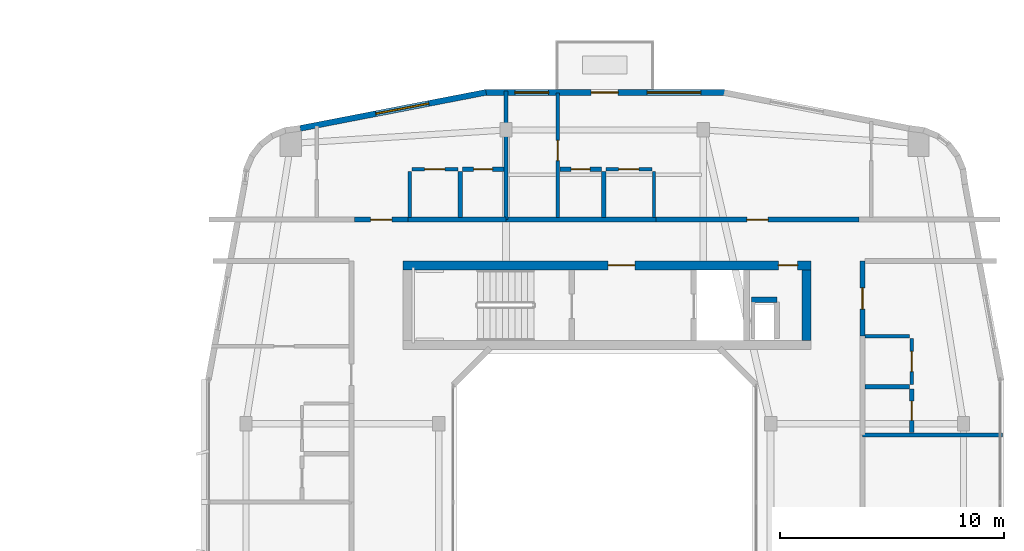
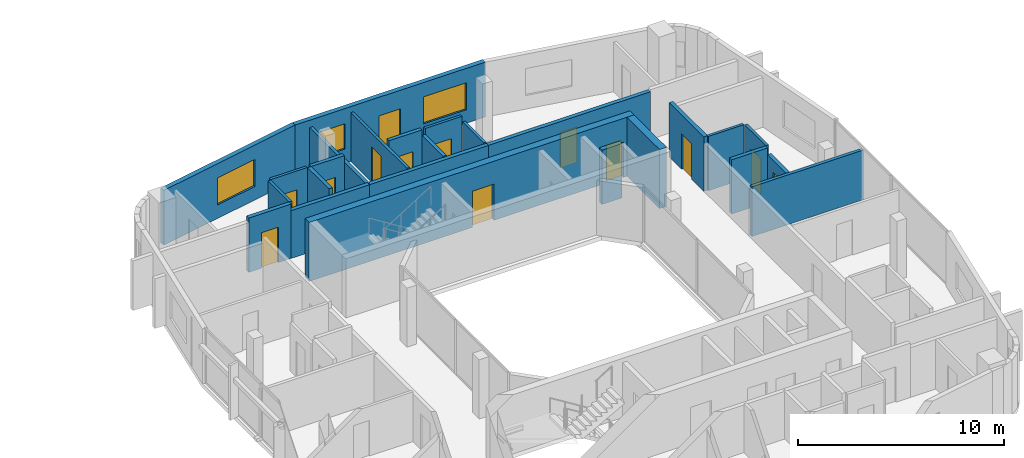
# One storey, part 15 of 22: 25 walls, 13 doors, 3 windows, 16 openings.
"""IFC4 building model written with IfcOpenShell, lengths in metres."""

from ifc_helpers import new_model, si_unit, derived_unit, direction, frame, frame_2d, origin, place, context, subcontext, project, spatial, rectangle, extrude, material, layer, layer_set, type_object, element, fill, save


model = new_model("IFC4")

# Units and contexts
model_context = context("Model", 3, precision=1e-05, world=origin(), true_north=direction((0.0, 1.0)))
body_context = subcontext(model_context, "Body", "Model", "MODEL_VIEW")
ifc_project = project(units=[si_unit("LENGTHUNIT", "METRE"), si_unit("AREAUNIT", "SQUARE_METRE"), si_unit("VOLUMEUNIT", "CUBIC_METRE"), si_unit("PLANEANGLEUNIT", "RADIAN"), si_unit("MASSUNIT", "GRAM", prefix="KILO"), derived_unit("THERMALTRANSMITTANCEUNIT", [(si_unit("POWERUNIT", "WATT"), 1), (si_unit("LENGTHUNIT", "METRE"), -2), (si_unit("THERMODYNAMICTEMPERATUREUNIT", "KELVIN"), -1)])], contexts=[model_context])

# Site, building, storey
site_placement = place(None, origin())
site = spatial("IfcSite", under=ifc_project, at=site_placement, CompositionType="ELEMENT")
building_placement = place(site_placement, origin())
building = spatial("IfcBuilding", under=site, at=building_placement, Name="Kivonza Crest Hotel", CompositionType="ELEMENT")
storey_placement = place(building_placement, frame((0.0, 0.0, 112.5)))
storey = spatial("IfcBuildingStorey", under=building, at=storey_placement, Name="L30", CompositionType="ELEMENT", Elevation=112.5)

# Walls
ifc_material_1 = material(Name="High-density acoustic masonry inter-tenancy wall", Category="masonry")
ifc_layer_1 = layer(ifc_material_1, 0.179931640625)
ifc_layer_set_1 = layer_set([ifc_layer_1], Name="High-density acoustic masonry inter-tenancy wall")
wall_type_1 = type_object("IfcWallType", Name="WL-ACOU-180", PredefinedType="SOLIDWALL", material=ifc_layer_set_1)
wall_1_placement = place(storey_placement, frame((72.60009765625, 37.60009765625, 0.0), z_axis=(0.0, 0.0, 1.0), x_axis=(0.0, 1.0, 0.0)))
element("IfcWall", 1, at=wall_1_placement, inside=storey, type_object=wall_type_1, Name="L30 interior partition WA-L30-T2N-DIV1", PredefinedType="SOLIDWALL", context=body_context, shape_type="SweptSolid", body=[
    extrude(rectangle(XDim=5.739990234375, YDim=0.179931640625, at=frame_2d((2.8701171875, 0.0))), origin(), (0.0, 0.0, 1.0), 2.824951171875),
])
wall_2_placement = place(storey_placement, frame((88.5, 28.0, 0.0), z_axis=(0.0, 0.0, 1.0), x_axis=(1.0, 0.0, 0.0)))
element("IfcWall", 2, at=wall_2_placement, inside=storey, type_object=wall_type_1, Name="L30 interior partition WA-L30-T2E-DIV1", PredefinedType="SOLIDWALL", context=body_context, shape_type="SweptSolid", body=[
    extrude(rectangle(XDim=6.239990234375, YDim=0.179931640625, at=frame_2d((3.1201171875, 0.0))), origin(), (0.0, 0.0, 1.0), 2.945068359375),
])
ifc_material_2 = material(Name="Autoclaved aerated concrete blockwork", Category="masonry")
ifc_layer_2 = layer(ifc_material_2, 0.219970703125)
ifc_layer_set_2 = layer_set([ifc_layer_2], Name="Autoclaved aerated concrete blockwork")
wall_type_2 = type_object("IfcWallType", Name="WL-ACOU-220", PredefinedType="SOLIDWALL", material=ifc_layer_set_2)
wall_3_placement = place(storey_placement, frame((68.219970703125, 37.60009765625, 0.0), z_axis=(0.0, 0.0, 1.0), x_axis=(1.0, 0.0, 0.0)))
element("IfcWall", 3, at=wall_3_placement, inside=storey, type_object=wall_type_2, Name="L30 interior partition WA-L30-A01-RCORR", PredefinedType="SOLIDWALL", context=body_context, shape_type="SweptSolid", body=[
    extrude(rectangle(XDim=4.380126953125, YDim=0.219970703125, at=frame_2d((2.18994140625, 0.0))), origin(), (0.0, 0.0, 1.0), 2.824951171875),
])

# Wall, opening, door
wall_4_placement = place(storey_placement, frame((65.85009765625, 37.60009765625, 0.0), z_axis=(0.0, 0.0, 1.0), x_axis=(1.0, 0.0, 0.0)))
wall_4 = element("IfcWall", 4, at=wall_4_placement, inside=storey, type_object=wall_type_2, Name="L30 interior partition WA-L30-A01-MCORR", PredefinedType="SOLIDWALL", context=body_context, shape_type="SweptSolid", body=[
    extrude(rectangle(XDim=2.369873046875, YDim=0.219970703125, at=frame_2d((1.18505859375, 0.0))), origin(), (0.0, 0.0, 1.0), 3.219970703125),
])
opening_1_placement = place(wall_4_placement, frame((0.7099609375, 0.0, 0.0)))
opening_1 = element("IfcOpeningElement", 5, at=opening_1_placement, cuts=wall_4, Name="Opening DU-60", PredefinedType="OPENING", context=body_context, shape_type="SweptSolid", body=[
    extrude(rectangle(XDim=0.949951171875, YDim=2.10009765625, at=frame_2d((0.47509765625, 1.050048828125))), frame((0.0, 0.1201171875, 0.0), z_axis=(0.0, -1.0, 0.0), x_axis=(1.0, 0.0, 0.0)), (0.0, 0.0, 1.0), 0.239990234375),
])
ifc_material_3 = material(Name="Hardwood timber oak", Category="wood")
door_type_1 = type_object("IfcDoorType", Name="DR-UNIT-950", OperationType="NOTDEFINED", PredefinedType="DOOR", material=ifc_material_3)
door_1_placement = place(opening_1_placement, origin())
door_1 = element("IfcDoor", 6, at=door_1_placement, inside=storey, type_object=door_type_1, Name="L30 A01 apartment entrance fire door", OperationType="SINGLE_SWING_LEFT", OverallHeight=2.10009765625, OverallWidth=0.949951171875, PredefinedType="DOOR", context=body_context, shape_type="SweptSolid", body=[
    extrude(rectangle(XDim=0.949951171875, YDim=2.10009765625, at=frame_2d((0.47509765625, 1.050048828125))), frame((0.0, 0.02490234375, 0.0), z_axis=(0.0, -1.0, 0.0), x_axis=(1.0, 0.0, 0.0)), (0.0, 0.0, 1.0), 0.050048828125),
])
fill(opening_1, door_1)

# Wall
wall_5_placement = place(storey_placement, frame((72.60009765625, 37.60009765625, 0.0), z_axis=(0.0, 0.0, 1.0), x_axis=(1.0, 0.0, 0.0)))
element("IfcWall", 7, at=wall_5_placement, inside=storey, type_object=wall_type_2, Name="L30 interior partition WA-L30-A02-LCORR", PredefinedType="SOLIDWALL", context=body_context, shape_type="SweptSolid", body=[
    extrude(rectangle(XDim=6.679931640625, YDim=0.219970703125, at=frame_2d((3.33984375, 0.0))), origin(), (0.0, 0.0, 1.0), 2.824951171875),
])

# Wall, opening, door
wall_6_placement = place(storey_placement, frame((79.280029296875, 37.60009765625, 0.0), z_axis=(0.0, 0.0, 1.0), x_axis=(1.0, 0.0, 0.0)))
wall_6 = element("IfcWall", 8, at=wall_6_placement, inside=storey, type_object=wall_type_2, Name="L30 interior partition WA-L30-A02-MCORR", PredefinedType="SOLIDWALL", context=body_context, shape_type="SweptSolid", body=[
    extrude(rectangle(XDim=9.070068359375, YDim=0.219970703125, at=frame_2d((4.53515625, 0.0))), origin(), (0.0, 0.0, 1.0), 2.824951171875),
])
opening_2_placement = place(wall_6_placement, frame((4.06005859375, 0.0, 0.0)))
opening_2 = element("IfcOpeningElement", 9, at=opening_2_placement, cuts=wall_6, Name="Opening DU-60", PredefinedType="OPENING", context=body_context, shape_type="SweptSolid", body=[
    extrude(rectangle(XDim=0.949951171875, YDim=2.10009765625, at=frame_2d((0.47509765625, 1.050048828125))), frame((0.0, 0.1201171875, 0.0), z_axis=(0.0, -1.0, 0.0), x_axis=(1.0, 0.0, 0.0)), (0.0, 0.0, 1.0), 0.239990234375),
])
door_2_placement = place(opening_2_placement, origin())
door_2 = element("IfcDoor", 10, at=door_2_placement, inside=storey, type_object=door_type_1, Name="L30 A02 apartment entrance fire door", OperationType="SINGLE_SWING_RIGHT", OverallHeight=2.10009765625, OverallWidth=0.949951171875, PredefinedType="DOOR", context=body_context, shape_type="SweptSolid", body=[
    extrude(rectangle(XDim=0.949951171875, YDim=2.10009765625, at=frame_2d((0.47509765625, 1.050048828125))), frame((0.0, 0.02490234375, 0.0), z_axis=(0.0, -1.0, 0.0), x_axis=(1.0, 0.0, 0.0)), (0.0, 0.0, 1.0), 0.050048828125),
])
fill(opening_2, door_2)

wall_7_placement = place(storey_placement, frame((88.5, 32.39990234375, 0.0), z_axis=(0.0, 0.0, 1.0), x_axis=(0.0, 1.0, 0.0)))
wall_7 = element("IfcWall", 11, at=wall_7_placement, inside=storey, type_object=wall_type_2, Name="L30 interior partition WA-L30-A08-MCORR", PredefinedType="SOLIDWALL", context=body_context, shape_type="SweptSolid", body=[
    extrude(rectangle(XDim=3.360107421875, YDim=0.219970703125, at=frame_2d((1.68017578125, 0.0))), origin(), (0.0, 0.0, 1.0), 3.219970703125),
])
opening_3_placement = place(wall_7_placement, frame((1.205078125, 0.0, 0.0)))
opening_3 = element("IfcOpeningElement", 12, at=opening_3_placement, cuts=wall_7, Name="Opening DU-60", PredefinedType="OPENING", context=body_context, shape_type="SweptSolid", body=[
    extrude(rectangle(XDim=0.949951171875, YDim=2.10009765625, at=frame_2d((0.47509765625, 1.050048828125))), frame((0.0, 0.1201171875, 0.0), z_axis=(0.0, -1.0, 0.0), x_axis=(1.0, 0.0, 0.0)), (0.0, 0.0, 1.0), 0.239990234375),
])
door_3_placement = place(opening_3_placement, frame((0.949951171875, 0.0, 0.0), z_axis=(0.0, 0.0, 1.0), x_axis=(-1.0, 0.0, 0.0)))
door_3 = element("IfcDoor", 13, at=door_3_placement, inside=storey, type_object=door_type_1, Name="L30 A08 apartment entrance fire door", OperationType="SINGLE_SWING_RIGHT", OverallHeight=2.10009765625, OverallWidth=0.949951171875, PredefinedType="DOOR", context=body_context, shape_type="SweptSolid", body=[
    extrude(rectangle(XDim=0.949951171875, YDim=2.10009765625, at=frame_2d((0.47509765625, 1.050048828125))), frame((0.0, 0.02490234375, 0.0), z_axis=(0.0, -1.0, 0.0), x_axis=(1.0, 0.0, 0.0)), (0.0, 0.0, 1.0), 0.050048828125),
])
fill(opening_3, door_3)

# Wall, openings, doors
ifc_material_4 = material(Name="Concrete C50/60", Category="concrete")
ifc_layer_3 = layer(ifc_material_4, 0.39990234375)
ifc_layer_set_3 = layer_set([ifc_layer_3], Name="Concrete C50/60")
wall_type_3 = type_object("IfcWallType", Name="WL-CORE-400", PredefinedType="SHEAR", material=ifc_layer_set_3)
wall_8_placement = place(storey_placement, frame((68.0, 35.56005859375, 0.0), z_axis=(0.0, 0.0, 1.0), x_axis=(1.0, 0.0, 0.0)))
wall_8 = element("IfcWall", 14, at=wall_8_placement, inside=storey, type_object=wall_type_3, Name="Core wall T2-N North L30", PredefinedType="SHEAR", context=body_context, shape_type="SweptSolid", body=[
    extrude(rectangle(XDim=18.199951171875, YDim=0.39990234375, at=frame_2d((9.10009765625, 0.0))), origin(), (0.0, 0.0, 1.0), 3.5),
])
opening_4_placement = place(wall_8_placement, frame((9.14990234375, 0.0, 0.0)))
opening_4 = element("IfcOpeningElement", 15, at=opening_4_placement, cuts=wall_8, Name="Opening DF-60", PredefinedType="OPENING", context=body_context, shape_type="SweptSolid", body=[
    extrude(rectangle(XDim=1.199951171875, YDim=2.14990234375, at=frame_2d((0.60009765625, 1.074951171875))), frame((0.0, 0.2099609375, 0.0), z_axis=(0.0, -1.0, 0.0), x_axis=(1.0, 0.0, 0.0)), (0.0, 0.0, 1.0), 0.419921875),
])
opening_5_placement = place(wall_8_placement, frame((16.75, 0.0, 0.0)))
opening_5 = element("IfcOpeningElement", 16, at=opening_5_placement, cuts=wall_8, Name="Opening DF-60R", PredefinedType="OPENING", context=body_context, shape_type="SweptSolid", body=[
    extrude(rectangle(XDim=0.85009765625, YDim=2.10009765625, at=frame_2d((0.425048828125, 1.050048828125))), frame((0.0, 0.2099609375, 0.0), z_axis=(0.0, -1.0, 0.0), x_axis=(1.0, 0.0, 0.0)), (0.0, 0.0, 1.0), 0.419921875),
])
door_type_2 = type_object("IfcDoorType", Name="DR-FD60-1200", OperationType="NOTDEFINED", PredefinedType="DOOR", material=ifc_material_3)
door_4_placement = place(opening_4_placement, origin())
door_4 = element("IfcDoor", 17, at=door_4_placement, inside=storey, type_object=door_type_2, Name="L30 T2-N firefighting lobby fire door", OperationType="SINGLE_SWING_RIGHT", OverallHeight=2.14990234375, OverallWidth=1.199951171875, PredefinedType="DOOR", context=body_context, shape_type="SweptSolid", body=[
    extrude(rectangle(XDim=1.199951171875, YDim=2.14990234375, at=frame_2d((0.60009765625, 1.074951171875))), frame((0.0, 0.02490234375, 0.0), z_axis=(0.0, -1.0, 0.0), x_axis=(1.0, 0.0, 0.0)), (0.0, 0.0, 1.0), 0.050048828125),
])
fill(opening_4, door_4)
door_type_3 = type_object("IfcDoorType", Name="DR-FD60-850", OperationType="NOTDEFINED", PredefinedType="DOOR", material=ifc_material_3)
door_5_placement = place(opening_5_placement, origin())
door_5 = element("IfcDoor", 18, at=door_5_placement, inside=storey, type_object=door_type_3, Name="L30 T2-N core room door", OperationType="SINGLE_SWING_RIGHT", OverallHeight=2.10009765625, OverallWidth=0.85009765625, PredefinedType="DOOR", context=body_context, shape_type="SweptSolid", body=[
    extrude(rectangle(XDim=0.85009765625, YDim=2.10009765625, at=frame_2d((0.425048828125, 1.050048828125))), frame((0.0, 0.02490234375, 0.0), z_axis=(0.0, -1.0, 0.0), x_axis=(1.0, 0.0, 0.0)), (0.0, 0.0, 1.0), 0.050048828125),
])
fill(opening_5, door_5)

# Wall
wall_9_placement = place(storey_placement, frame((86.0, 32.199951171875, 0.0), z_axis=(0.0, 0.0, 1.0), x_axis=(0.0, 1.0, 0.0)))
element("IfcWall", 19, at=wall_9_placement, inside=storey, type_object=wall_type_3, Name="Core wall T2-N East L30", PredefinedType="SHEAR", context=body_context, shape_type="SweptSolid", body=[
    extrude(rectangle(XDim=3.16015625, YDim=0.39990234375, at=frame_2d((1.580078125, 0.0))), origin(), (0.0, 0.0, 1.0), 3.5),
])

# Wall, openings, door, windows
ifc_material_5 = material(Name="Precast concrete C40/50", Category="concrete")
ifc_layer_4 = layer(ifc_material_5, 0.260009765625)
ifc_layer_set_4 = layer_set([ifc_layer_4], Name="Precast concrete C40/50")
wall_type_4 = type_object("IfcWallType", Name="WL-EXT-260", PredefinedType="STANDARD", material=ifc_layer_set_4)
wall_10_placement = place(storey_placement, frame((82.364990234375, 43.27001953125, 0.0), z_axis=(0.0, 0.0, 1.0), x_axis=(-1.0, 0.0, 0.0)))
wall_10 = element("IfcWall", 20, at=wall_10_placement, inside=storey, type_object=wall_type_4, Name="L30 T2 exterior insulated wall 26", PredefinedType="STANDARD", context=body_context, shape_type="SweptSolid", body=[
    extrude(rectangle(XDim=10.695068359375, YDim=0.260009765625, at=frame_2d((5.34765625, 0.0))), origin(), (0.0, 0.0, 1.0), 3.25),
])
opening_6_placement = place(wall_10_placement, frame((4.764892578125, 0.0, 0.0)))
opening_6 = element("IfcOpeningElement", 21, at=opening_6_placement, cuts=wall_10, Name="Opening DT-120", PredefinedType="OPENING", context=body_context, shape_type="SweptSolid", body=[
    extrude(rectangle(XDim=1.199951171875, YDim=2.14990234375, at=frame_2d((0.60009765625, 1.074951171875))), frame((0.0, 0.14013671875, 0.0), z_axis=(0.0, -1.0, 0.0), x_axis=(1.0, 0.0, 0.0)), (0.0, 0.0, 1.0), 0.280029296875),
])
opening_7_placement = place(wall_10_placement, frame((1.076904296875, 0.0, 0.800048828125)))
opening_7 = element("IfcOpeningElement", 22, at=opening_7_placement, cuts=wall_10, Name="Opening WN-05", PredefinedType="OPENING", context=body_context, shape_type="SweptSolid", body=[
    extrude(rectangle(XDim=2.39990234375, YDim=1.60009765625, at=frame_2d((1.199951171875, 0.800048828125))), frame((0.0, 0.14013671875, 0.0), z_axis=(0.0, -1.0, 0.0), x_axis=(1.0, 0.0, 0.0)), (0.0, 0.0, 1.0), 0.280029296875),
])
opening_8_placement = place(wall_10_placement, frame((7.864990234375, 0.0, 0.85009765625)))
opening_8 = element("IfcOpeningElement", 23, at=opening_8_placement, cuts=wall_10, Name="Opening WN-02", PredefinedType="OPENING", context=body_context, shape_type="SweptSolid", body=[
    extrude(rectangle(XDim=1.5, YDim=1.5, at=frame_2d((0.75, 0.75))), frame((0.0, 0.14013671875, 0.0), z_axis=(0.0, -1.0, 0.0), x_axis=(1.0, 0.0, 0.0)), (0.0, 0.0, 1.0), 0.280029296875),
])
ifc_material_6 = material(Name="Anodised bronze aluminium and laminated safety glass", Category="aluminium")
door_type_4 = type_object("IfcDoorType", Name="DR-TERR-1200", OperationType="NOTDEFINED", PredefinedType="DOOR", material=ifc_material_6)
door_6_placement = place(opening_6_placement, frame((1.199951171875, 0.0, 0.0), z_axis=(0.0, 0.0, 1.0), x_axis=(-1.0, 0.0, 0.0)))
door_6 = element("IfcDoor", 24, at=door_6_placement, inside=storey, type_object=door_type_4, Name="T2 L30 NE sky-garden bridge access door", OperationType="SINGLE_SWING_RIGHT", OverallHeight=2.14990234375, OverallWidth=1.199951171875, PredefinedType="DOOR", context=body_context, shape_type="SweptSolid", body=[
    extrude(rectangle(XDim=1.199951171875, YDim=2.14990234375, at=frame_2d((0.60009765625, 1.074951171875))), frame((0.0, 0.02490234375, 0.0), z_axis=(0.0, -1.0, 0.0), x_axis=(1.0, 0.0, 0.0)), (0.0, 0.0, 1.0), 0.050048828125),
])
fill(opening_6, door_6)
ifc_material_7 = material(Name="Thermally broken bronze aluminium and low-E double glazing", Category="aluminium")
window_type_1 = type_object("IfcWindowType", Name="WN-150x150", PartitioningType="DOUBLE_PANEL_VERTICAL", PredefinedType="WINDOW", material=ifc_material_7)
window_1_placement = place(opening_8_placement, origin())
window_1 = element("IfcWindow", 25, at=window_1_placement, inside=storey, type_object=window_type_1, Name="L30 T2 facade window 26 bay 2", OverallHeight=1.5, OverallWidth=1.5, PartitioningType="SINGLE_PANEL", PredefinedType="WINDOW", context=body_context, shape_type="SweptSolid", body=[
    extrude(rectangle(XDim=1.5, YDim=1.5, at=frame_2d((0.75, 0.75))), frame((0.0, 0.030029296875, 0.0), z_axis=(0.0, -1.0, 0.0), x_axis=(1.0, 0.0, 0.0)), (0.0, 0.0, 1.0), 0.06005859375),
])
fill(opening_8, window_1)
window_type_2 = type_object("IfcWindowType", Name="WN-240x160", PartitioningType="TRIPLE_PANEL_VERTICAL", PredefinedType="WINDOW", material=ifc_material_7)
window_2_placement = place(opening_7_placement, origin())
window_2 = element("IfcWindow", 26, at=window_2_placement, inside=storey, type_object=window_type_2, Name="L30 T2 facade window 26 bay 1", OverallHeight=1.60009765625, OverallWidth=2.39990234375, PartitioningType="SINGLE_PANEL", PredefinedType="WINDOW", context=body_context, shape_type="SweptSolid", body=[
    extrude(rectangle(XDim=2.39990234375, YDim=1.60009765625, at=frame_2d((1.199951171875, 0.800048828125))), frame((0.0, 0.030029296875, 0.0), z_axis=(0.0, -1.0, 0.0), x_axis=(1.0, 0.0, 0.0)), (0.0, 0.0, 1.0), 0.06005859375),
])
fill(opening_7, window_2)

# Wall, opening, window
wall_11_placement = place(storey_placement, frame((71.7099609375, 43.277099609375, 0.0), z_axis=(0.0, 0.0, 1.0), x_axis=(-0.981733729692, -0.190260043057, 0.0)))
wall_11 = element("IfcWall", 27, at=wall_11_placement, inside=storey, type_object=wall_type_4, Name="L30 T2 exterior insulated wall 27", PredefinedType="STANDARD", context=body_context, shape_type="SweptSolid", body=[
    extrude(rectangle(XDim=8.447265625, YDim=0.260009765625, at=frame_2d((4.2236328125, 0.0))), origin(), (0.0, 0.0, 1.0), 3.25),
])
opening_9_placement = place(wall_11_placement, frame((2.60791015625, 0.0, 0.800048828125)))
opening_9 = element("IfcOpeningElement", 28, at=opening_9_placement, cuts=wall_11, Name="Opening WN-05", PredefinedType="OPENING", context=body_context, shape_type="SweptSolid", body=[
    extrude(rectangle(XDim=2.39990234375, YDim=1.60009765625, at=frame_2d((1.199951171875, 0.800048828125))), frame((0.0, 0.14013671875, 0.0), z_axis=(0.0, -1.0, 0.0), x_axis=(1.0, 0.0, 0.0)), (0.0, 0.0, 1.0), 0.280029296875),
])
window_3_placement = place(opening_9_placement, origin())
window_3 = element("IfcWindow", 29, at=window_3_placement, inside=storey, type_object=window_type_2, Name="L30 T2 facade window 27", OverallHeight=1.60009765625, OverallWidth=2.39990234375, PartitioningType="SINGLE_PANEL", PredefinedType="WINDOW", context=body_context, shape_type="SweptSolid", body=[
    extrude(rectangle(XDim=2.39990234375, YDim=1.60009765625, at=frame_2d((1.199951171875, 0.800048828125))), frame((0.0, 0.030029296875, 0.0), z_axis=(0.0, -1.0, 0.0), x_axis=(1.0, 0.0, 0.0)), (0.0, 0.0, 1.0), 0.06005859375),
])
fill(opening_9, window_3)

# Walls
ifc_material_8 = material(Name="Concrete blockwork fire-compartment wall", Category="masonry")
ifc_layer_5 = layer(ifc_material_8, 0.25)
ifc_layer_set_5 = layer_set([ifc_layer_5], Name="Concrete blockwork fire-compartment wall")
wall_type_5 = type_object("IfcWallType", Name="WL-FIRE-250", PredefinedType="SOLIDWALL", material=ifc_layer_set_5)
wall_12_placement = place(storey_placement, frame((83.550048828125, 34.02001953125, 0.0), z_axis=(0.0, 0.0, 1.0), x_axis=(1.0, 0.0, 0.0)))
element("IfcWall", 30, at=wall_12_placement, inside=storey, type_object=wall_type_5, Name="L30 interior partition WA-L30-T2-N-MEPR-H", PredefinedType="SOLIDWALL", context=body_context, shape_type="SweptSolid", body=[
    extrude(rectangle(XDim=1.1298828125, YDim=0.25, at=frame_2d((0.56494140625, 0.0))), origin(), (0.0, 0.0, 1.0), 3.219970703125),
])
ifc_material_9 = material(Name="Twin-stud acoustic gypsum board partition", Category="gypsum")
ifc_layer_6 = layer(ifc_material_9, 0.14990234375)
ifc_layer_set_6 = layer_set([ifc_layer_6], Name="Twin-stud acoustic gypsum board partition")
wall_type_6 = type_object("IfcWallType", Name="WL-PART-150", PredefinedType="PARTITIONING", material=ifc_layer_set_6)
wall_13_placement = place(storey_placement, frame((68.300048828125, 37.699951171875, 0.0), z_axis=(0.0, 0.0, 1.0), x_axis=(0.0, 1.0, 0.0)))
element("IfcWall", 31, at=wall_13_placement, inside=storey, type_object=wall_type_6, Name="L30 interior partition WP-L30-A01-KF", PredefinedType="PARTITIONING", context=body_context, shape_type="SweptSolid", body=[
    extrude(rectangle(XDim=2.050048828125, YDim=0.14990234375, at=frame_2d((1.02490234375, 0.0))), origin(), (0.0, 0.0, 1.0), 3.219970703125),
])

# Wall, opening, door
wall_14_placement = place(storey_placement, frame((68.39990234375, 39.85009765625, 0.0), z_axis=(0.0, 0.0, 1.0), x_axis=(1.0, 0.0, 0.0)))
wall_14 = element("IfcWall", 32, at=wall_14_placement, inside=storey, type_object=wall_type_6, Name="L30 interior partition WP-L30-A01-KSVC", PredefinedType="PARTITIONING", context=body_context, shape_type="SweptSolid", body=[
    extrude(rectangle(XDim=2.050048828125, YDim=0.14990234375, at=frame_2d((1.02490234375, 0.0))), origin(), (0.0, 0.0, 1.0), 3.219970703125),
])
opening_10_placement = place(wall_14_placement, frame((0.574951171875, 0.0, 0.0)))
opening_10 = element("IfcOpeningElement", 33, at=opening_10_placement, cuts=wall_14, Name="Opening DI-90", PredefinedType="OPENING", context=body_context, shape_type="SweptSolid", body=[
    extrude(rectangle(XDim=0.89990234375, YDim=2.10009765625, at=frame_2d((0.449951171875, 1.050048828125))), frame((0.0, 0.0849609375, 0.0), z_axis=(0.0, -1.0, 0.0), x_axis=(1.0, 0.0, 0.0)), (0.0, 0.0, 1.0), 0.169921875),
])
door_type_5 = type_object("IfcDoorType", Name="DR-INT-900", OperationType="NOTDEFINED", PredefinedType="DOOR", material=ifc_material_3)
door_7_placement = place(opening_10_placement, origin())
door_7 = element("IfcDoor", 34, at=door_7_placement, inside=storey, type_object=door_type_5, Name="L30 A01 apartment kitchen door", OperationType="SINGLE_SWING_LEFT", OverallHeight=2.10009765625, OverallWidth=0.89990234375, PredefinedType="DOOR", context=body_context, shape_type="SweptSolid", body=[
    extrude(rectangle(XDim=0.89990234375, YDim=2.10009765625, at=frame_2d((0.449951171875, 1.050048828125))), frame((0.0, 0.02490234375, 0.0), z_axis=(0.0, -1.0, 0.0), x_axis=(1.0, 0.0, 0.0)), (0.0, 0.0, 1.0), 0.050048828125),
])
fill(opening_10, door_7)

wall_15_placement = place(storey_placement, frame((74.89990234375, 37.699951171875, 0.0), z_axis=(0.0, 0.0, 1.0), x_axis=(0.0, 1.0, 0.0)))
wall_15 = element("IfcWall", 35, at=wall_15_placement, inside=storey, type_object=wall_type_6, Name="L30 interior partition WP-L30-A02-BDW1", PredefinedType="PARTITIONING", context=body_context, shape_type="SweptSolid", body=[
    extrude(rectangle(XDim=5.5400390625, YDim=0.14990234375, at=frame_2d((2.77001953125, 0.0))), origin(), (0.0, 0.0, 1.0), 2.89501953125),
])
opening_11_placement = place(wall_15_placement, frame((2.530029296875, 0.0, 0.0)))
opening_11 = element("IfcOpeningElement", 36, at=opening_11_placement, cuts=wall_15, Name="Opening DI-90", PredefinedType="OPENING", context=body_context, shape_type="SweptSolid", body=[
    extrude(rectangle(XDim=0.89990234375, YDim=2.10009765625, at=frame_2d((0.449951171875, 1.050048828125))), frame((0.0, 0.0849609375, 0.0), z_axis=(0.0, -1.0, 0.0), x_axis=(1.0, 0.0, 0.0)), (0.0, 0.0, 1.0), 0.169921875),
])
door_8_placement = place(opening_11_placement, origin())
door_8 = element("IfcDoor", 37, at=door_8_placement, inside=storey, type_object=door_type_5, Name="L30 A02 bedroom 1 door", OperationType="SINGLE_SWING_LEFT", OverallHeight=2.10009765625, OverallWidth=0.89990234375, PredefinedType="DOOR", context=body_context, shape_type="SweptSolid", body=[
    extrude(rectangle(XDim=0.89990234375, YDim=2.10009765625, at=frame_2d((0.449951171875, 1.050048828125))), frame((0.0, 0.02490234375, 0.0), z_axis=(0.0, -1.0, 0.0), x_axis=(1.0, 0.0, 0.0)), (0.0, 0.0, 1.0), 0.050048828125),
])
fill(opening_11, door_8)

# Wall
wall_16_placement = place(storey_placement, frame((79.199951171875, 37.699951171875, 0.0), z_axis=(0.0, 0.0, 1.0), x_axis=(0.0, 1.0, 0.0)))
element("IfcWall", 38, at=wall_16_placement, inside=storey, type_object=wall_type_6, Name="L30 interior partition WP-L30-A02-KF", PredefinedType="PARTITIONING", context=body_context, shape_type="SweptSolid", body=[
    extrude(rectangle(XDim=2.050048828125, YDim=0.14990234375, at=frame_2d((1.02490234375, 0.0))), origin(), (0.0, 0.0, 1.0), 2.89501953125),
])

# Wall, opening, door
wall_17_placement = place(storey_placement, frame((77.050048828125, 39.85009765625, 0.0), z_axis=(0.0, 0.0, 1.0), x_axis=(1.0, 0.0, 0.0)))
wall_17 = element("IfcWall", 39, at=wall_17_placement, inside=storey, type_object=wall_type_6, Name="L30 interior partition WP-L30-A02-KSVC", PredefinedType="PARTITIONING", context=body_context, shape_type="SweptSolid", body=[
    extrude(rectangle(XDim=2.050048828125, YDim=0.14990234375, at=frame_2d((1.02490234375, 0.0))), origin(), (0.0, 0.0, 1.0), 3.219970703125),
])
opening_12_placement = place(wall_17_placement, frame((0.574951171875, 0.0, 0.0)))
opening_12 = element("IfcOpeningElement", 40, at=opening_12_placement, cuts=wall_17, Name="Opening DI-90", PredefinedType="OPENING", context=body_context, shape_type="SweptSolid", body=[
    extrude(rectangle(XDim=0.89990234375, YDim=2.10009765625, at=frame_2d((0.449951171875, 1.050048828125))), frame((0.0, 0.0849609375, 0.0), z_axis=(0.0, -1.0, 0.0), x_axis=(1.0, 0.0, 0.0)), (0.0, 0.0, 1.0), 0.169921875),
])
door_9_placement = place(opening_12_placement, origin())
door_9 = element("IfcDoor", 41, at=door_9_placement, inside=storey, type_object=door_type_5, Name="L30 A02 apartment kitchen door", OperationType="SINGLE_SWING_RIGHT", OverallHeight=2.10009765625, OverallWidth=0.89990234375, PredefinedType="DOOR", context=body_context, shape_type="SweptSolid", body=[
    extrude(rectangle(XDim=0.89990234375, YDim=2.10009765625, at=frame_2d((0.449951171875, 1.050048828125))), frame((0.0, 0.02490234375, 0.0), z_axis=(0.0, -1.0, 0.0), x_axis=(1.0, 0.0, 0.0)), (0.0, 0.0, 1.0), 0.050048828125),
])
fill(opening_12, door_9)

# Wall
wall_18_placement = place(storey_placement, frame((88.60009765625, 32.39990234375, 0.0), z_axis=(0.0, 0.0, 1.0), x_axis=(1.0, 0.0, 0.0)))
element("IfcWall", 42, at=wall_18_placement, inside=storey, type_object=wall_type_6, Name="L30 interior partition WP-L30-A08-KF", PredefinedType="PARTITIONING", context=body_context, shape_type="SweptSolid", body=[
    extrude(rectangle(XDim=2.0, YDim=0.14990234375, at=frame_2d((1.0, 0.0))), origin(), (0.0, 0.0, 1.0), 3.219970703125),
])

# Wall, opening, door
wall_19_placement = place(storey_placement, frame((90.699951171875, 30.25, 0.0), z_axis=(0.0, 0.0, 1.0), x_axis=(0.0, 1.0, 0.0)))
wall_19 = element("IfcWall", 43, at=wall_19_placement, inside=storey, type_object=wall_type_6, Name="L30 interior partition WP-L30-A08-KSVC", PredefinedType="PARTITIONING", context=body_context, shape_type="SweptSolid", body=[
    extrude(rectangle(XDim=2.050048828125, YDim=0.14990234375, at=frame_2d((1.02490234375, 0.0))), origin(), (0.0, 0.0, 1.0), 3.219970703125),
])
opening_13_placement = place(wall_19_placement, frame((0.574951171875, 0.0, 0.0)))
opening_13 = element("IfcOpeningElement", 44, at=opening_13_placement, cuts=wall_19, Name="Opening DI-90", PredefinedType="OPENING", context=body_context, shape_type="SweptSolid", body=[
    extrude(rectangle(XDim=0.89990234375, YDim=2.10009765625, at=frame_2d((0.449951171875, 1.050048828125))), frame((0.0, 0.0849609375, 0.0), z_axis=(0.0, -1.0, 0.0), x_axis=(1.0, 0.0, 0.0)), (0.0, 0.0, 1.0), 0.169921875),
])
door_10_placement = place(opening_13_placement, frame((0.89990234375, 0.0, 0.0), z_axis=(0.0, 0.0, 1.0), x_axis=(-1.0, 0.0, 0.0)))
door_10 = element("IfcDoor", 45, at=door_10_placement, inside=storey, type_object=door_type_5, Name="L30 A08 apartment kitchen door", OperationType="SINGLE_SWING_RIGHT", OverallHeight=2.10009765625, OverallWidth=0.89990234375, PredefinedType="DOOR", context=body_context, shape_type="SweptSolid", body=[
    extrude(rectangle(XDim=0.89990234375, YDim=2.10009765625, at=frame_2d((0.449951171875, 1.050048828125))), frame((0.0, 0.02490234375, 0.0), z_axis=(0.0, -1.0, 0.0), x_axis=(1.0, 0.0, 0.0)), (0.0, 0.0, 1.0), 0.050048828125),
])
fill(opening_13, door_10)

# Wall
ifc_material_10 = material(Name="Moisture-resistant plumbing chase partition wall", Category="gypsum")
ifc_layer_7 = layer(ifc_material_10, 0.199951171875)
ifc_layer_set_7 = layer_set([ifc_layer_7], Name="Moisture-resistant plumbing chase partition wall")
wall_type_7 = type_object("IfcWallType", Name="WL-PLUMB-200", PredefinedType="PLUMBINGWALL", material=ifc_layer_set_7)
wall_20_placement = place(storey_placement, frame((70.550048828125, 37.699951171875, 0.0), z_axis=(0.0, 0.0, 1.0), x_axis=(0.0, 1.0, 0.0)))
element("IfcWall", 46, at=wall_20_placement, inside=storey, type_object=wall_type_7, Name="L30 interior partition WW-L30-A01-BK", PredefinedType="PLUMBINGWALL", context=body_context, shape_type="SweptSolid", body=[
    extrude(rectangle(XDim=2.050048828125, YDim=0.199951171875, at=frame_2d((1.02490234375, 0.0))), origin(), (0.0, 0.0, 1.0), 3.219970703125),
])

# Wall, opening, door
wall_21_placement = place(storey_placement, frame((70.64990234375, 39.85009765625, 0.0), z_axis=(0.0, 0.0, 1.0), x_axis=(1.0, 0.0, 0.0)))
wall_21 = element("IfcWall", 47, at=wall_21_placement, inside=storey, type_object=wall_type_7, Name="L30 interior partition WW-L30-A01-BSVC", PredefinedType="PLUMBINGWALL", context=body_context, shape_type="SweptSolid", body=[
    extrude(rectangle(XDim=1.85009765625, YDim=0.199951171875, at=frame_2d((0.925048828125, 0.0))), origin(), (0.0, 0.0, 1.0), 3.219970703125),
])
opening_14_placement = place(wall_21_placement, frame((0.5, 0.0, 0.0)))
opening_14 = element("IfcOpeningElement", 48, at=opening_14_placement, cuts=wall_21, Name="Opening DI-85", PredefinedType="OPENING", context=body_context, shape_type="SweptSolid", body=[
    extrude(rectangle(XDim=0.85009765625, YDim=2.10009765625, at=frame_2d((0.425048828125, 1.050048828125))), frame((0.0, 0.10986328125, 0.0), z_axis=(0.0, -1.0, 0.0), x_axis=(1.0, 0.0, 0.0)), (0.0, 0.0, 1.0), 0.219970703125),
])
door_type_6 = type_object("IfcDoorType", Name="DR-INT-850", OperationType="NOTDEFINED", PredefinedType="DOOR", material=ifc_material_3)
door_11_placement = place(opening_14_placement, origin())
door_11 = element("IfcDoor", 49, at=door_11_placement, inside=storey, type_object=door_type_6, Name="L30 A01 apartment bathroom door", OperationType="SINGLE_SWING_RIGHT", OverallHeight=2.10009765625, OverallWidth=0.85009765625, PredefinedType="DOOR", context=body_context, shape_type="SweptSolid", body=[
    extrude(rectangle(XDim=0.85009765625, YDim=2.10009765625, at=frame_2d((0.425048828125, 1.050048828125))), frame((0.0, 0.02490234375, 0.0), z_axis=(0.0, -1.0, 0.0), x_axis=(1.0, 0.0, 0.0)), (0.0, 0.0, 1.0), 0.050048828125),
])
fill(opening_14, door_11)

# Wall
wall_22_placement = place(storey_placement, frame((76.949951171875, 37.699951171875, 0.0), z_axis=(0.0, 0.0, 1.0), x_axis=(0.0, 1.0, 0.0)))
element("IfcWall", 50, at=wall_22_placement, inside=storey, type_object=wall_type_7, Name="L30 interior partition WW-L30-A02-BK", PredefinedType="PLUMBINGWALL", context=body_context, shape_type="SweptSolid", body=[
    extrude(rectangle(XDim=2.050048828125, YDim=0.199951171875, at=frame_2d((1.02490234375, 0.0))), origin(), (0.0, 0.0, 1.0), 2.89501953125),
])

# Wall, opening, door
wall_23_placement = place(storey_placement, frame((75.0, 39.85009765625, 0.0), z_axis=(0.0, 0.0, 1.0), x_axis=(1.0, 0.0, 0.0)))
wall_23 = element("IfcWall", 51, at=wall_23_placement, inside=storey, type_object=wall_type_7, Name="L30 interior partition WW-L30-A02-BSVC", PredefinedType="PLUMBINGWALL", context=body_context, shape_type="SweptSolid", body=[
    extrude(rectangle(XDim=1.85009765625, YDim=0.199951171875, at=frame_2d((0.925048828125, 0.0))), origin(), (0.0, 0.0, 1.0), 3.219970703125),
])
opening_15_placement = place(wall_23_placement, frame((0.5, 0.0, 0.0)))
opening_15 = element("IfcOpeningElement", 52, at=opening_15_placement, cuts=wall_23, Name="Opening DI-85", PredefinedType="OPENING", context=body_context, shape_type="SweptSolid", body=[
    extrude(rectangle(XDim=0.85009765625, YDim=2.10009765625, at=frame_2d((0.425048828125, 1.050048828125))), frame((0.0, 0.10986328125, 0.0), z_axis=(0.0, -1.0, 0.0), x_axis=(1.0, 0.0, 0.0)), (0.0, 0.0, 1.0), 0.219970703125),
])
door_12_placement = place(opening_15_placement, origin())
door_12 = element("IfcDoor", 53, at=door_12_placement, inside=storey, type_object=door_type_6, Name="L30 A02 apartment bathroom door", OperationType="SINGLE_SWING_LEFT", OverallHeight=2.10009765625, OverallWidth=0.85009765625, PredefinedType="DOOR", context=body_context, shape_type="SweptSolid", body=[
    extrude(rectangle(XDim=0.85009765625, YDim=2.10009765625, at=frame_2d((0.425048828125, 1.050048828125))), frame((0.0, 0.02490234375, 0.0), z_axis=(0.0, -1.0, 0.0), x_axis=(1.0, 0.0, 0.0)), (0.0, 0.0, 1.0), 0.050048828125),
])
fill(opening_15, door_12)

# Wall
wall_24_placement = place(storey_placement, frame((88.60009765625, 30.14990234375, 0.0), z_axis=(0.0, 0.0, 1.0), x_axis=(1.0, 0.0, 0.0)))
element("IfcWall", 54, at=wall_24_placement, inside=storey, type_object=wall_type_7, Name="L30 interior partition WW-L30-A08-BK", PredefinedType="PLUMBINGWALL", context=body_context, shape_type="SweptSolid", body=[
    extrude(rectangle(XDim=2.0, YDim=0.199951171875, at=frame_2d((1.0, 0.0))), origin(), (0.0, 0.0, 1.0), 3.219970703125),
])

# Wall, opening, door
wall_25_placement = place(storey_placement, frame((90.699951171875, 28.10009765625, 0.0), z_axis=(0.0, 0.0, 1.0), x_axis=(0.0, 1.0, 0.0)))
wall_25 = element("IfcWall", 55, at=wall_25_placement, inside=storey, type_object=wall_type_7, Name="L30 interior partition WW-L30-A08-BSVC", PredefinedType="PLUMBINGWALL", context=body_context, shape_type="SweptSolid", body=[
    extrude(rectangle(XDim=1.949951171875, YDim=0.199951171875, at=frame_2d((0.97509765625, 0.0))), origin(), (0.0, 0.0, 1.0), 2.824951171875),
])
opening_16_placement = place(wall_25_placement, frame((0.550048828125, 0.0, 0.0)))
opening_16 = element("IfcOpeningElement", 56, at=opening_16_placement, cuts=wall_25, Name="Opening DI-85", PredefinedType="OPENING", context=body_context, shape_type="SweptSolid", body=[
    extrude(rectangle(XDim=0.85009765625, YDim=2.10009765625, at=frame_2d((0.425048828125, 1.050048828125))), frame((0.0, 0.10986328125, 0.0), z_axis=(0.0, -1.0, 0.0), x_axis=(1.0, 0.0, 0.0)), (0.0, 0.0, 1.0), 0.219970703125),
])
door_13_placement = place(opening_16_placement, frame((0.85009765625, 0.0, 0.0), z_axis=(0.0, 0.0, 1.0), x_axis=(-1.0, 0.0, 0.0)))
door_13 = element("IfcDoor", 57, at=door_13_placement, inside=storey, type_object=door_type_6, Name="L30 A08 apartment bathroom door", OperationType="SINGLE_SWING_LEFT", OverallHeight=2.10009765625, OverallWidth=0.85009765625, PredefinedType="DOOR", context=body_context, shape_type="SweptSolid", body=[
    extrude(rectangle(XDim=0.85009765625, YDim=2.10009765625, at=frame_2d((0.425048828125, 1.050048828125))), frame((0.0, 0.02490234375, 0.0), z_axis=(0.0, -1.0, 0.0), x_axis=(1.0, 0.0, 0.0)), (0.0, 0.0, 1.0), 0.050048828125),
])
fill(opening_16, door_13)

save(model, "model.ifc")
